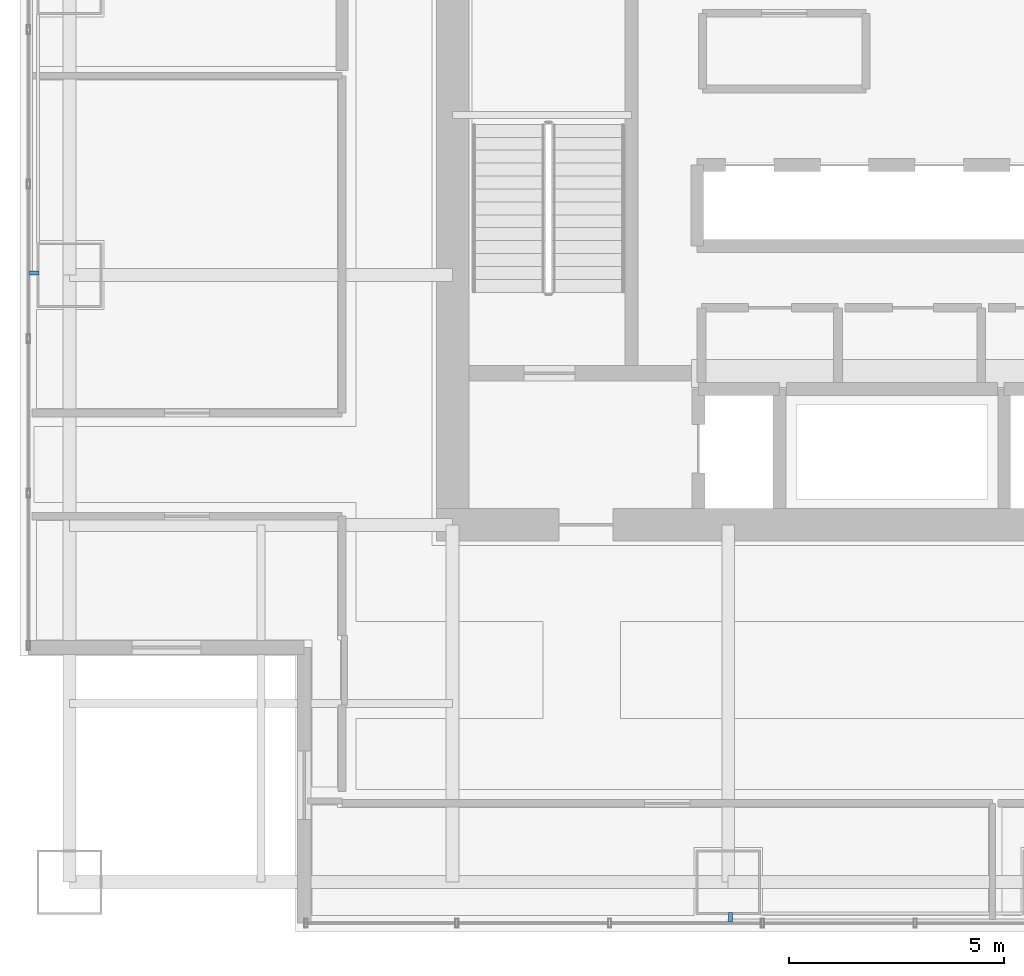
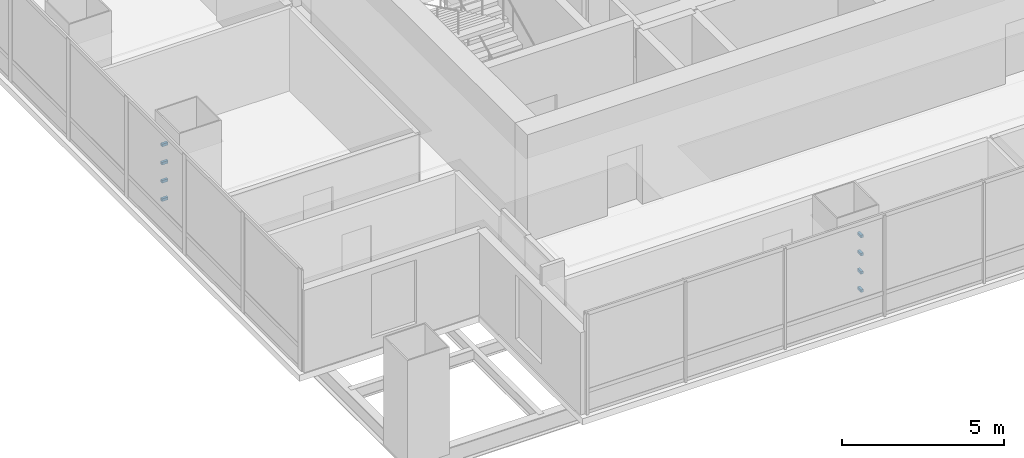
# One storey, part 30 of 35: 8 discrete accessories.
"""IFC4 building model written with IfcOpenShell, lengths in metres."""

from ifc_helpers import new_model, si_unit, direction, frame, origin, origin_2d, place, context, subcontext, project, spatial, rectangle, extrude, material, type_object, element, save


model = new_model("IFC4")

# Units and contexts
model_context = context("Model", 3, precision=1e-05, world=origin(), true_north=direction((0.0, 1.0)))
body_context = subcontext(model_context, "Body", "Model", "MODEL_VIEW")
ifc_project = project(units=[si_unit("LENGTHUNIT", "METRE"), si_unit("AREAUNIT", "SQUARE_METRE"), si_unit("VOLUMEUNIT", "CUBIC_METRE"), si_unit("PLANEANGLEUNIT", "RADIAN"), si_unit("MASSUNIT", "GRAM", prefix="KILO")], contexts=[model_context])

# Site, building, storey
site_placement = place(None, origin())
site = spatial("IfcSite", under=ifc_project, at=site_placement, CompositionType="ELEMENT")
building_placement = place(site_placement, origin())
building = spatial("IfcBuilding", under=site, at=building_placement, Name="Punatoya Terracotta Tower", CompositionType="ELEMENT")
storey_placement = place(building_placement, frame((0.0, 0.0, 113.25)))
storey = spatial("IfcBuildingStorey", under=building, at=storey_placement, Name="L26", CompositionType="ELEMENT", Elevation=113.25)

# Discrete accessories
ifc_material = material(Name="Steel S355", Category="steel")
discrete_accessory_type = type_object("IfcDiscreteAccessoryType", Name="ACC-BRK-220", PredefinedType="BRACKET", material=ifc_material)
for number, where, z_axis, x_axis, name in (
    (1, (-3.75, -18.320068359375, 1.099853515625), (0.0, 0.0, 1.0), (1.0, 0.0, 0.0), "L26 Baguette Louvre Column Bracket BAG-L26-S-01"),
    (2, (-3.75, -18.320068359375, 1.78662109375), (0.0, 0.0, 1.0), (1.0, 0.0, 0.0), "L26 Baguette Louvre Column Bracket BAG-L26-S-02"),
    (3, (-3.75, -18.320068359375, 2.47314453125), (0.0, 0.0, 1.0), (1.0, 0.0, 0.0), "L26 Baguette Louvre Column Bracket BAG-L26-S-03"),
    (4, (-3.75, -18.320068359375, 3.159912109375), (0.0, 0.0, 1.0), (1.0, 0.0, 0.0), "L26 Baguette Louvre Column Bracket BAG-L26-S-04"),
    (5, (-19.919921875, -3.35009765625, 1.099853515625), (0.0, 0.0, 1.0), (0.0, 1.0, 0.0), "L26 Baguette Louvre Column Bracket BAG-L26-W-01"),
    (6, (-19.919921875, -3.35009765625, 1.78662109375), (0.0, 0.0, 1.0), (0.0, 1.0, 0.0), "L26 Baguette Louvre Column Bracket BAG-L26-W-02"),
    (7, (-19.919921875, -3.35009765625, 2.47314453125), (0.0, 0.0, 1.0), (0.0, 1.0, 0.0), "L26 Baguette Louvre Column Bracket BAG-L26-W-03"),
    (8, (-19.919921875, -3.35009765625, 3.159912109375), (0.0, 0.0, 1.0), (0.0, 1.0, 0.0), "L26 Baguette Louvre Column Bracket BAG-L26-W-04"),
):
    element("IfcDiscreteAccessory", number, at=place(storey_placement, frame(where, z_axis=z_axis, x_axis=x_axis)), inside=storey, type_object=discrete_accessory_type, Name=name, PredefinedType="BRACKET", context=body_context, shape_type="SweptSolid", body=[
        extrude(rectangle(XDim=0.090087890625, YDim=0.219970703125, at=origin_2d()), origin(), (0.0, 0.0, 1.0), 0.10009765625),
    ])

save(model, "model.ifc")
